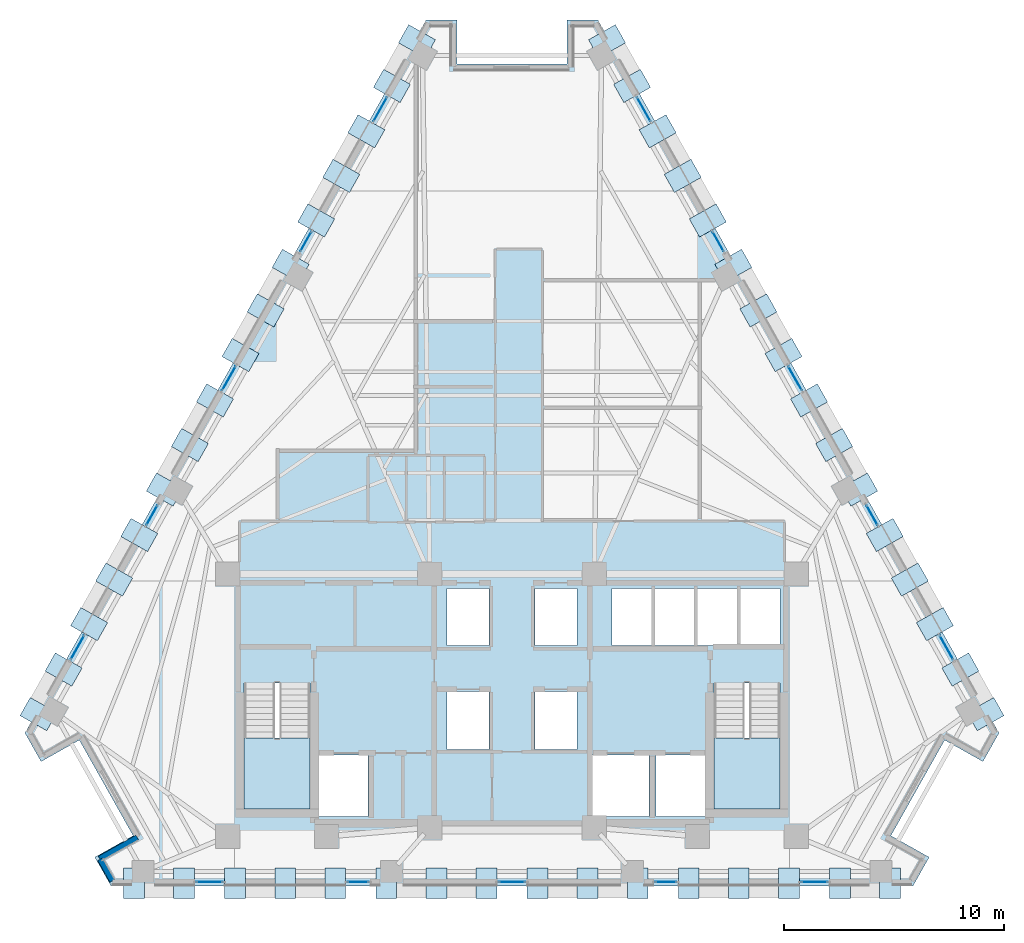
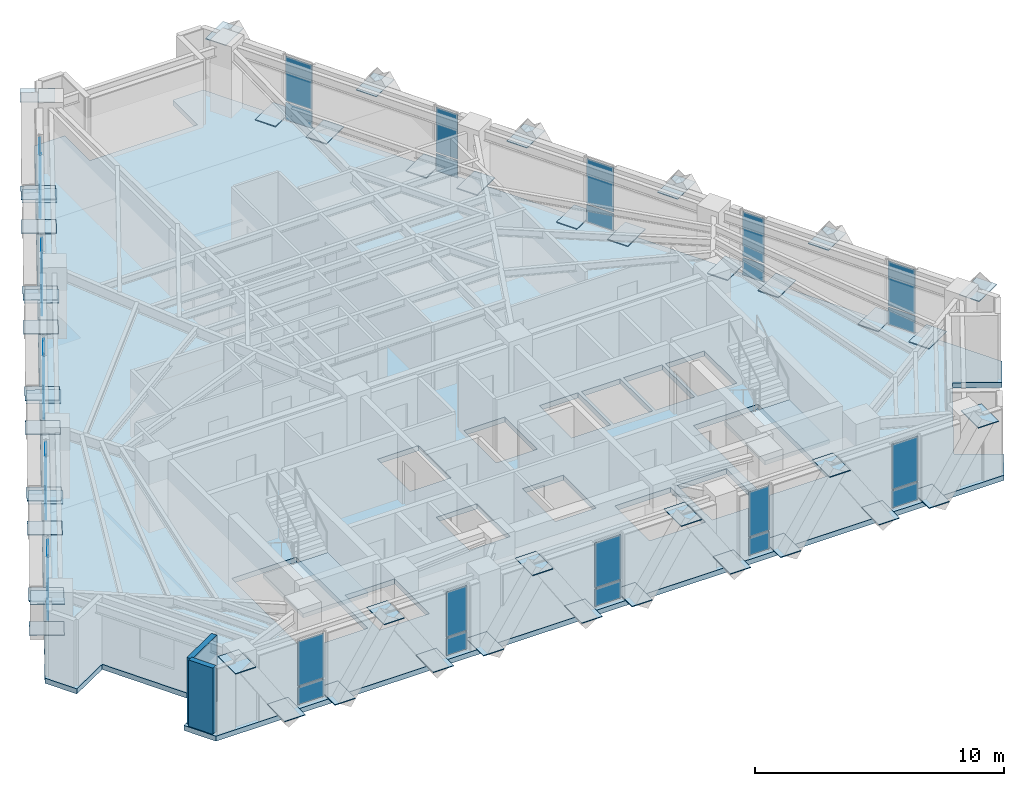
# One storey, part 6 of 13: 78 plates, 3 slabs, 2 walls, 17 elements without a shape of their own.
"""IFC4 building model written with IfcOpenShell, lengths in metres."""

from ifc_helpers import new_model, si_unit, direction, frame, frame_2d, origin, origin_2d, place, context, subcontext, project, spatial, polyline, rectangle, outline, extrude, material, layer, layer_set, type_object, element, aggregate, save


model = new_model("IFC4")

# Units and contexts
model_context = context("Model", 3, precision=1e-05, world=origin(), true_north=direction((0.0, 1.0)))
body_context = subcontext(model_context, "Body", "Model", "MODEL_VIEW")
ifc_project = project(units=[si_unit("LENGTHUNIT", "METRE"), si_unit("AREAUNIT", "SQUARE_METRE"), si_unit("VOLUMEUNIT", "CUBIC_METRE"), si_unit("PLANEANGLEUNIT", "RADIAN"), si_unit("MASSUNIT", "GRAM", prefix="KILO")], contexts=[model_context])

# Site, building, storey
site_placement = place(None, origin())
site = spatial("IfcSite", under=ifc_project, at=site_placement, CompositionType="ELEMENT")
building_placement = place(site_placement, origin())
building = spatial("IfcBuilding", under=site, at=building_placement, Name="Quenlor Broadcast Tower", CompositionType="ELEMENT")
storey_placement = place(building_placement, frame((0.0, 0.0, 147.5)))
storey = spatial("IfcBuildingStorey", under=building, at=storey_placement, Name="L40", CompositionType="ELEMENT", Elevation=147.5)

# Curtain wall, plates
ifc_material_1 = material(Name="Architectural Terracotta and Low-E Glazing", Category="masonry")
curtain_wall_type = type_object("IfcCurtainWallType", Name="Unitised Terracotta Curtain Wall System Z3", PredefinedType="NOTDEFINED", material=ifc_material_1)
curtain_wall_1_placement = place(storey_placement, origin())
curtain_wall_1 = element("IfcCurtainWall", 1, at=curtain_wall_1_placement, inside=storey, type_object=curtain_wall_type, Name="L40 Curtain Wall CW3 (L40-SA-G1)", PredefinedType="NOTDEFINED")
ifc_material_2 = material(Name="Double Glazed Low-E Solar Glass", Category="glass")
ifc_layer_1 = layer(ifc_material_2, 0.028076171875)
ifc_layer_set_1 = layer_set([ifc_layer_1], Name="CW3 Double Glazed Vision Panel 28")
plate_type_1 = type_object("IfcPlateType", Name="CW3 Double Glazed Vision Panel 28", PredefinedType="CURTAIN_PANEL", material=ifc_layer_set_1)
plate_1_placement = place(storey_placement, frame((13.77587890625, -18.824951171875, 0.06982421875), z_axis=(0.0, 0.0, 1.0), x_axis=(-1.0, 0.0, 0.0)))
plate_1 = element("IfcPlate", 2, at=plate_1_placement, type_object=plate_type_1, Name="CW3 panel 1.1", PredefinedType="CURTAIN_PANEL", context=body_context, shape_type="SweptSolid", body=[
    extrude(rectangle(XDim=1.197998046875, YDim=0.028076171875, at=origin_2d()), origin(), (0.0, 0.0, 1.0), 0.844970703125),
])
plate_2_placement = place(storey_placement, frame((13.77587890625, -18.824951171875, 0.98486328125), z_axis=(0.0, 0.0, 1.0), x_axis=(-1.0, 0.0, 0.0)))
plate_2 = element("IfcPlate", 3, at=plate_2_placement, type_object=plate_type_1, Name="CW3 panel 1.2", PredefinedType="CURTAIN_PANEL", context=body_context, shape_type="SweptSolid", body=[
    extrude(rectangle(XDim=1.197998046875, YDim=0.028076171875, at=origin_2d()), origin(), (0.0, 0.0, 1.0), 2.195068359375),
])
aggregate(curtain_wall_1, [plate_1, plate_2])

curtain_wall_2_placement = place(storey_placement, origin())
curtain_wall_2 = element("IfcCurtainWall", 4, at=curtain_wall_2_placement, inside=storey, type_object=curtain_wall_type, Name="L40 Curtain Wall CW3 (L40-SA-G2)", PredefinedType="NOTDEFINED")
plate_3_placement = place(storey_placement, frame((7.011474609375, -18.824951171875, 0.06982421875), z_axis=(0.0, 0.0, 1.0), x_axis=(-1.0, 0.0, 0.0)))
plate_3 = element("IfcPlate", 5, at=plate_3_placement, type_object=plate_type_1, Name="CW3 panel 1.1", PredefinedType="CURTAIN_PANEL", context=body_context, shape_type="SweptSolid", body=[
    extrude(rectangle(XDim=0.950927734375, YDim=0.028076171875, at=origin_2d()), origin(), (0.0, 0.0, 1.0), 0.844970703125),
])
plate_4_placement = place(storey_placement, frame((7.011474609375, -18.824951171875, 0.98486328125), z_axis=(0.0, 0.0, 1.0), x_axis=(-1.0, 0.0, 0.0)))
plate_4 = element("IfcPlate", 6, at=plate_4_placement, type_object=plate_type_1, Name="CW3 panel 1.2", PredefinedType="CURTAIN_PANEL", context=body_context, shape_type="SweptSolid", body=[
    extrude(rectangle(XDim=0.950927734375, YDim=0.028076171875, at=origin_2d()), origin(), (0.0, 0.0, 1.0), 2.195068359375),
])
aggregate(curtain_wall_2, [plate_3, plate_4])

curtain_wall_3_placement = place(storey_placement, origin())
curtain_wall_3 = element("IfcCurtainWall", 7, at=curtain_wall_3_placement, inside=storey, type_object=curtain_wall_type, Name="L40 Curtain Wall CW3 (L40-SC-G1)", PredefinedType="NOTDEFINED")
plate_5_placement = place(storey_placement, frame((-7.011474609375, -18.824951171875, 0.06982421875), z_axis=(0.0, 0.0, 1.0), x_axis=(-1.0, 0.0, 0.0)))
plate_5 = element("IfcPlate", 8, at=plate_5_placement, type_object=plate_type_1, Name="CW3 panel 1.1", PredefinedType="CURTAIN_PANEL", context=body_context, shape_type="SweptSolid", body=[
    extrude(rectangle(XDim=0.950927734375, YDim=0.028076171875, at=origin_2d()), origin(), (0.0, 0.0, 1.0), 0.844970703125),
])
plate_6_placement = place(storey_placement, frame((-7.011474609375, -18.824951171875, 0.98486328125), z_axis=(0.0, 0.0, 1.0), x_axis=(-1.0, 0.0, 0.0)))
plate_6 = element("IfcPlate", 9, at=plate_6_placement, type_object=plate_type_1, Name="CW3 panel 1.2", PredefinedType="CURTAIN_PANEL", context=body_context, shape_type="SweptSolid", body=[
    extrude(rectangle(XDim=0.950927734375, YDim=0.028076171875, at=origin_2d()), origin(), (0.0, 0.0, 1.0), 2.195068359375),
])
aggregate(curtain_wall_3, [plate_5, plate_6])

curtain_wall_4_placement = place(storey_placement, origin())
curtain_wall_4 = element("IfcCurtainWall", 10, at=curtain_wall_4_placement, inside=storey, type_object=curtain_wall_type, Name="L40 Curtain Wall CW3 (L40-SC-G2)", PredefinedType="NOTDEFINED")
plate_7_placement = place(storey_placement, frame((-13.77587890625, -18.824951171875, 0.06982421875), z_axis=(0.0, 0.0, 1.0), x_axis=(-1.0, 0.0, 0.0)))
plate_7 = element("IfcPlate", 11, at=plate_7_placement, type_object=plate_type_1, Name="CW3 panel 1.1", PredefinedType="CURTAIN_PANEL", context=body_context, shape_type="SweptSolid", body=[
    extrude(rectangle(XDim=1.197998046875, YDim=0.028076171875, at=origin_2d()), origin(), (0.0, 0.0, 1.0), 0.844970703125),
])
plate_8_placement = place(storey_placement, frame((-13.77587890625, -18.824951171875, 0.98486328125), z_axis=(0.0, 0.0, 1.0), x_axis=(-1.0, 0.0, 0.0)))
plate_8 = element("IfcPlate", 12, at=plate_8_placement, type_object=plate_type_1, Name="CW3 panel 1.2", PredefinedType="CURTAIN_PANEL", context=body_context, shape_type="SweptSolid", body=[
    extrude(rectangle(XDim=1.197998046875, YDim=0.028076171875, at=origin_2d()), origin(), (0.0, 0.0, 1.0), 2.195068359375),
])
aggregate(curtain_wall_4, [plate_7, plate_8])

curtain_wall_5_placement = place(storey_placement, origin())
curtain_wall_5 = element("IfcCurtainWall", 13, at=curtain_wall_5_placement, inside=storey, type_object=curtain_wall_type, Name="L40 Curtain Wall CW3 (L40-S-G1)", PredefinedType="NOTDEFINED")
plate_9_placement = place(storey_placement, frame((0.0, -18.824951171875, 0.06982421875), z_axis=(0.0, 0.0, 1.0), x_axis=(-1.0, 0.0, 0.0)))
plate_9 = element("IfcPlate", 14, at=plate_9_placement, type_object=plate_type_1, Name="CW3 panel 1.1", PredefinedType="CURTAIN_PANEL", context=body_context, shape_type="SweptSolid", body=[
    extrude(rectangle(XDim=1.197998046875, YDim=0.028076171875, at=origin_2d()), origin(), (0.0, 0.0, 1.0), 0.844970703125),
])
plate_10_placement = place(storey_placement, frame((0.0, -18.824951171875, 0.98486328125), z_axis=(0.0, 0.0, 1.0), x_axis=(-1.0, 0.0, 0.0)))
plate_10 = element("IfcPlate", 15, at=plate_10_placement, type_object=plate_type_1, Name="CW3 panel 1.2", PredefinedType="CURTAIN_PANEL", context=body_context, shape_type="SweptSolid", body=[
    extrude(rectangle(XDim=1.197998046875, YDim=0.028076171875, at=origin_2d()), origin(), (0.0, 0.0, 1.0), 2.195068359375),
])
aggregate(curtain_wall_5, [plate_9, plate_10])

curtain_wall_6_placement = place(storey_placement, origin())
curtain_wall_6 = element("IfcCurtainWall", 16, at=curtain_wall_6_placement, inside=storey, type_object=curtain_wall_type, Name="L40 Curtain Wall CW3 (L40-NEA-G1)", PredefinedType="NOTDEFINED")
plate_11_placement = place(storey_placement, frame((6.00146484375, 16.3740234375, 0.06982421875), z_axis=(0.0, 0.0, 1.0), x_axis=(0.490230492916, -0.871592831439, 0.0)))
plate_11 = element("IfcPlate", 17, at=plate_11_placement, type_object=plate_type_1, Name="CW3 panel 1.1", PredefinedType="CURTAIN_PANEL", context=body_context, shape_type="SweptSolid", body=[
    extrude(rectangle(XDim=1.249755859375, YDim=0.028076171875, at=origin_2d()), origin(), (0.0, 0.0, 1.0), 0.844970703125),
])
plate_12_placement = place(storey_placement, frame((6.00146484375, 16.3740234375, 0.98486328125), z_axis=(0.0, 0.0, 1.0), x_axis=(0.490230492916, -0.871592831439, 0.0)))
plate_12 = element("IfcPlate", 18, at=plate_12_placement, type_object=plate_type_1, Name="CW3 panel 1.2", PredefinedType="CURTAIN_PANEL", context=body_context, shape_type="SweptSolid", body=[
    extrude(rectangle(XDim=1.249755859375, YDim=0.028076171875, at=origin_2d()), origin(), (0.0, 0.0, 1.0), 2.195068359375),
])
aggregate(curtain_wall_6, [plate_11, plate_12])

curtain_wall_7_placement = place(storey_placement, origin())
curtain_wall_7 = element("IfcCurtainWall", 19, at=curtain_wall_7_placement, inside=storey, type_object=curtain_wall_type, Name="L40 Curtain Wall CW3 (L40-NEA-G2)", PredefinedType="NOTDEFINED")
plate_13_placement = place(storey_placement, frame((9.391357421875, 10.34716796875, 0.06982421875), z_axis=(0.0, 0.0, 1.0), x_axis=(0.490215950125, -0.871601010924, 0.0)))
plate_13 = element("IfcPlate", 20, at=plate_13_placement, type_object=plate_type_1, Name="CW3 panel 1.1", PredefinedType="CURTAIN_PANEL", context=body_context, shape_type="SweptSolid", body=[
    extrude(rectangle(XDim=1.01318359375, YDim=0.028076171875, at=origin_2d()), origin(), (0.0, 0.0, 1.0), 0.844970703125),
])
plate_14_placement = place(storey_placement, frame((9.391357421875, 10.34716796875, 0.98486328125), z_axis=(0.0, 0.0, 1.0), x_axis=(0.490215950125, -0.871601010924, 0.0)))
plate_14 = element("IfcPlate", 21, at=plate_14_placement, type_object=plate_type_1, Name="CW3 panel 1.2", PredefinedType="CURTAIN_PANEL", context=body_context, shape_type="SweptSolid", body=[
    extrude(rectangle(XDim=1.01318359375, YDim=0.028076171875, at=origin_2d()), origin(), (0.0, 0.0, 1.0), 2.195068359375),
])
aggregate(curtain_wall_7, [plate_13, plate_14])

curtain_wall_8_placement = place(storey_placement, origin())
curtain_wall_8 = element("IfcCurtainWall", 22, at=curtain_wall_8_placement, inside=storey, type_object=curtain_wall_type, Name="L40 Curtain Wall CW3 (L40-NEC-G1)", PredefinedType="NOTDEFINED")
plate_15_placement = place(storey_placement, frame((16.403564453125, -2.118896484375, 0.06982421875), z_axis=(0.0, 0.0, 1.0), x_axis=(0.490253004657, -0.871580169247, 0.0)))
plate_15 = element("IfcPlate", 23, at=plate_15_placement, type_object=plate_type_1, Name="CW3 panel 1.1", PredefinedType="CURTAIN_PANEL", context=body_context, shape_type="SweptSolid", body=[
    extrude(rectangle(XDim=1.01318359375, YDim=0.028076171875, at=origin_2d()), origin(), (0.0, 0.0, 1.0), 0.844970703125),
])
plate_16_placement = place(storey_placement, frame((16.403564453125, -2.118896484375, 0.98486328125), z_axis=(0.0, 0.0, 1.0), x_axis=(0.490253004657, -0.871580169247, 0.0)))
plate_16 = element("IfcPlate", 24, at=plate_16_placement, type_object=plate_type_1, Name="CW3 panel 1.2", PredefinedType="CURTAIN_PANEL", context=body_context, shape_type="SweptSolid", body=[
    extrude(rectangle(XDim=1.01318359375, YDim=0.028076171875, at=origin_2d()), origin(), (0.0, 0.0, 1.0), 2.195068359375),
])
aggregate(curtain_wall_8, [plate_15, plate_16])

curtain_wall_9_placement = place(storey_placement, origin())
curtain_wall_9 = element("IfcCurtainWall", 25, at=curtain_wall_9_placement, inside=storey, type_object=curtain_wall_type, Name="L40 Curtain Wall CW3 (L40-NEC-G2)", PredefinedType="NOTDEFINED")
plate_17_placement = place(storey_placement, frame((19.793701171875, -8.145751953125, 0.06982421875), z_axis=(0.0, 0.0, 1.0), x_axis=(0.490261239636, -0.871575537123, 0.0)))
plate_17 = element("IfcPlate", 26, at=plate_17_placement, type_object=plate_type_1, Name="CW3 panel 1.1", PredefinedType="CURTAIN_PANEL", context=body_context, shape_type="SweptSolid", body=[
    extrude(rectangle(XDim=1.249755859375, YDim=0.028076171875, at=origin_2d()), origin(), (0.0, 0.0, 1.0), 0.844970703125),
])
plate_18_placement = place(storey_placement, frame((19.793701171875, -8.145751953125, 0.98486328125), z_axis=(0.0, 0.0, 1.0), x_axis=(0.490261239636, -0.871575537123, 0.0)))
plate_18 = element("IfcPlate", 27, at=plate_18_placement, type_object=plate_type_1, Name="CW3 panel 1.2", PredefinedType="CURTAIN_PANEL", context=body_context, shape_type="SweptSolid", body=[
    extrude(rectangle(XDim=1.249755859375, YDim=0.028076171875, at=origin_2d()), origin(), (0.0, 0.0, 1.0), 2.195068359375),
])
aggregate(curtain_wall_9, [plate_17, plate_18])

curtain_wall_10_placement = place(storey_placement, origin())
curtain_wall_10 = element("IfcCurtainWall", 28, at=curtain_wall_10_placement, inside=storey, type_object=curtain_wall_type, Name="L40 Curtain Wall CW3 (L40-NE-G1)", PredefinedType="NOTDEFINED")
plate_19_placement = place(storey_placement, frame((12.8974609375, 4.1142578125, 0.06982421875), z_axis=(0.0, 0.0, 1.0), x_axis=(0.490285152484, -0.871562085714, 0.0)))
plate_19 = element("IfcPlate", 29, at=plate_19_placement, type_object=plate_type_1, Name="CW3 panel 1.1", PredefinedType="CURTAIN_PANEL", context=body_context, shape_type="SweptSolid", body=[
    extrude(rectangle(XDim=1.249755859375, YDim=0.028076171875, at=origin_2d()), origin(), (0.0, 0.0, 1.0), 0.844970703125),
])
plate_20_placement = place(storey_placement, frame((12.8974609375, 4.1142578125, 0.98486328125), z_axis=(0.0, 0.0, 1.0), x_axis=(0.490285152484, -0.871562085714, 0.0)))
plate_20 = element("IfcPlate", 30, at=plate_20_placement, type_object=plate_type_1, Name="CW3 panel 1.2", PredefinedType="CURTAIN_PANEL", context=body_context, shape_type="SweptSolid", body=[
    extrude(rectangle(XDim=1.249755859375, YDim=0.028076171875, at=origin_2d()), origin(), (0.0, 0.0, 1.0), 2.195068359375),
])
aggregate(curtain_wall_10, [plate_19, plate_20])

curtain_wall_11_placement = place(storey_placement, origin())
curtain_wall_11 = element("IfcCurtainWall", 31, at=curtain_wall_11_placement, inside=storey, type_object=curtain_wall_type, Name="L40 Curtain Wall CW3 (L40-NWA-G1)", PredefinedType="NOTDEFINED")
plate_21_placement = place(storey_placement, frame((-19.793701171875, -8.145751953125, 0.06982421875), z_axis=(0.0, 0.0, 1.0), x_axis=(0.490261239636, 0.871575537123, 0.0)))
plate_21 = element("IfcPlate", 32, at=plate_21_placement, type_object=plate_type_1, Name="CW3 panel 1.1", PredefinedType="CURTAIN_PANEL", context=body_context, shape_type="SweptSolid", body=[
    extrude(rectangle(XDim=1.249755859375, YDim=0.028076171875, at=origin_2d()), origin(), (0.0, 0.0, 1.0), 0.844970703125),
])
plate_22_placement = place(storey_placement, frame((-19.793701171875, -8.145751953125, 0.98486328125), z_axis=(0.0, 0.0, 1.0), x_axis=(0.490261239636, 0.871575537123, 0.0)))
plate_22 = element("IfcPlate", 33, at=plate_22_placement, type_object=plate_type_1, Name="CW3 panel 1.2", PredefinedType="CURTAIN_PANEL", context=body_context, shape_type="SweptSolid", body=[
    extrude(rectangle(XDim=1.249755859375, YDim=0.028076171875, at=origin_2d()), origin(), (0.0, 0.0, 1.0), 2.195068359375),
])
aggregate(curtain_wall_11, [plate_21, plate_22])

curtain_wall_12_placement = place(storey_placement, origin())
curtain_wall_12 = element("IfcCurtainWall", 34, at=curtain_wall_12_placement, inside=storey, type_object=curtain_wall_type, Name="L40 Curtain Wall CW3 (L40-NWA-G2)", PredefinedType="NOTDEFINED")
plate_23_placement = place(storey_placement, frame((-16.403564453125, -2.118896484375, 0.06982421875), z_axis=(0.0, 0.0, 1.0), x_axis=(0.490253004657, 0.871580169247, 0.0)))
plate_23 = element("IfcPlate", 35, at=plate_23_placement, type_object=plate_type_1, Name="CW3 panel 1.1", PredefinedType="CURTAIN_PANEL", context=body_context, shape_type="SweptSolid", body=[
    extrude(rectangle(XDim=1.01318359375, YDim=0.028076171875, at=origin_2d()), origin(), (0.0, 0.0, 1.0), 0.844970703125),
])
plate_24_placement = place(storey_placement, frame((-16.403564453125, -2.118896484375, 0.98486328125), z_axis=(0.0, 0.0, 1.0), x_axis=(0.490253004657, 0.871580169247, 0.0)))
plate_24 = element("IfcPlate", 36, at=plate_24_placement, type_object=plate_type_1, Name="CW3 panel 1.2", PredefinedType="CURTAIN_PANEL", context=body_context, shape_type="SweptSolid", body=[
    extrude(rectangle(XDim=1.01318359375, YDim=0.028076171875, at=origin_2d()), origin(), (0.0, 0.0, 1.0), 2.195068359375),
])
aggregate(curtain_wall_12, [plate_23, plate_24])

curtain_wall_13_placement = place(storey_placement, origin())
curtain_wall_13 = element("IfcCurtainWall", 37, at=curtain_wall_13_placement, inside=storey, type_object=curtain_wall_type, Name="L40 Curtain Wall CW3 (L40-NWC-G1)", PredefinedType="NOTDEFINED")
plate_25_placement = place(storey_placement, frame((-9.391357421875, 10.34716796875, 0.06982421875), z_axis=(0.0, 0.0, 1.0), x_axis=(0.490215950125, 0.871601010924, 0.0)))
plate_25 = element("IfcPlate", 38, at=plate_25_placement, type_object=plate_type_1, Name="CW3 panel 1.1", PredefinedType="CURTAIN_PANEL", context=body_context, shape_type="SweptSolid", body=[
    extrude(rectangle(XDim=1.01318359375, YDim=0.028076171875, at=origin_2d()), origin(), (0.0, 0.0, 1.0), 0.844970703125),
])
plate_26_placement = place(storey_placement, frame((-9.391357421875, 10.34716796875, 0.98486328125), z_axis=(0.0, 0.0, 1.0), x_axis=(0.490215950125, 0.871601010924, 0.0)))
plate_26 = element("IfcPlate", 39, at=plate_26_placement, type_object=plate_type_1, Name="CW3 panel 1.2", PredefinedType="CURTAIN_PANEL", context=body_context, shape_type="SweptSolid", body=[
    extrude(rectangle(XDim=1.01318359375, YDim=0.028076171875, at=origin_2d()), origin(), (0.0, 0.0, 1.0), 2.195068359375),
])
aggregate(curtain_wall_13, [plate_25, plate_26])

curtain_wall_14_placement = place(storey_placement, origin())
curtain_wall_14 = element("IfcCurtainWall", 40, at=curtain_wall_14_placement, inside=storey, type_object=curtain_wall_type, Name="L40 Curtain Wall CW3 (L40-NWC-G2)", PredefinedType="NOTDEFINED")
plate_27_placement = place(storey_placement, frame((-6.00146484375, 16.3740234375, 0.06982421875), z_axis=(0.0, 0.0, 1.0), x_axis=(0.490230492916, 0.871592831439, 0.0)))
plate_27 = element("IfcPlate", 41, at=plate_27_placement, type_object=plate_type_1, Name="CW3 panel 1.1", PredefinedType="CURTAIN_PANEL", context=body_context, shape_type="SweptSolid", body=[
    extrude(rectangle(XDim=1.249755859375, YDim=0.028076171875, at=origin_2d()), origin(), (0.0, 0.0, 1.0), 0.844970703125),
])
plate_28_placement = place(storey_placement, frame((-6.00146484375, 16.3740234375, 0.98486328125), z_axis=(0.0, 0.0, 1.0), x_axis=(0.490230492916, 0.871592831439, 0.0)))
plate_28 = element("IfcPlate", 42, at=plate_28_placement, type_object=plate_type_1, Name="CW3 panel 1.2", PredefinedType="CURTAIN_PANEL", context=body_context, shape_type="SweptSolid", body=[
    extrude(rectangle(XDim=1.249755859375, YDim=0.028076171875, at=origin_2d()), origin(), (0.0, 0.0, 1.0), 2.195068359375),
])
aggregate(curtain_wall_14, [plate_27, plate_28])

curtain_wall_15_placement = place(storey_placement, origin())
curtain_wall_15 = element("IfcCurtainWall", 43, at=curtain_wall_15_placement, inside=storey, type_object=curtain_wall_type, Name="L40 Curtain Wall CW3 (L40-NW-G1)", PredefinedType="NOTDEFINED")
plate_29_placement = place(storey_placement, frame((-12.8974609375, 4.1142578125, 0.06982421875), z_axis=(0.0, 0.0, 1.0), x_axis=(0.490285152484, 0.871562085714, 0.0)))
plate_29 = element("IfcPlate", 44, at=plate_29_placement, type_object=plate_type_1, Name="CW3 panel 1.1", PredefinedType="CURTAIN_PANEL", context=body_context, shape_type="SweptSolid", body=[
    extrude(rectangle(XDim=1.249755859375, YDim=0.028076171875, at=origin_2d()), origin(), (0.0, 0.0, 1.0), 0.844970703125),
])
plate_30_placement = place(storey_placement, frame((-12.8974609375, 4.1142578125, 0.98486328125), z_axis=(0.0, 0.0, 1.0), x_axis=(0.490285152484, 0.871562085714, 0.0)))
plate_30 = element("IfcPlate", 45, at=plate_30_placement, type_object=plate_type_1, Name="CW3 panel 1.2", PredefinedType="CURTAIN_PANEL", context=body_context, shape_type="SweptSolid", body=[
    extrude(rectangle(XDim=1.249755859375, YDim=0.028076171875, at=origin_2d()), origin(), (0.0, 0.0, 1.0), 2.195068359375),
])
aggregate(curtain_wall_15, [plate_29, plate_30])

# Stair, slab
ifc_material_3 = material(Name="Precast concrete C40/50", Category="concrete")
stair_type = type_object("IfcStairType", Name="Precast Concrete C40/50 Dogleg Stair H350", PredefinedType="HALF_TURN_STAIR", material=ifc_material_3)
stair_1_placement = place(storey_placement, origin())
stair_1 = element("IfcStair", 46, at=stair_1_placement, inside=storey, type_object=stair_type, Name="L40 West Core Fire-Isolated Exit Stair ST-1", PredefinedType="HALF_TURN_STAIR")
ifc_material_4 = material(Name="Precast concrete C40/50", Category="concrete")
ifc_layer_2 = layer(ifc_material_4, 0.199951171875)
ifc_layer_set_2 = layer_set([ifc_layer_2], Name="Precast Concrete C40/50 Stair Landing Slab 200")
slab_type_1 = type_object("IfcSlabType", Name="Precast Concrete C40/50 Stair Landing Slab 200", PredefinedType="LANDING", material=ifc_layer_set_2)
slab_1_placement = place(storey_placement, frame((0.0, 0.0, 1.550048828125)))
slab_1 = element("IfcSlab", 47, at=slab_1_placement, type_object=slab_type_1, Name="ST-1 landing 1", PredefinedType="LANDING", context=body_context, shape_type="SweptSolid", body=[
    extrude(outline(polyline([(-12.199951171875, -12.27001953125), (-12.199951171875, -15.5), (-9.199951171875, -15.5), (-9.199951171875, -12.27001953125), (-12.199951171875, -12.27001953125)])), origin(), (0.0, 0.0, 1.0), 0.199951171875),
])
aggregate(stair_1, [slab_1])

stair_2_placement = place(storey_placement, origin())
stair_2 = element("IfcStair", 48, at=stair_2_placement, inside=storey, type_object=stair_type, Name="L40 East Core Fire-Isolated Exit Stair ST-2", PredefinedType="HALF_TURN_STAIR")
slab_2_placement = place(storey_placement, frame((0.0, 0.0, 1.550048828125)))
slab_2 = element("IfcSlab", 49, at=slab_2_placement, type_object=slab_type_1, Name="ST-2 landing 1", PredefinedType="LANDING", context=body_context, shape_type="SweptSolid", body=[
    extrude(outline(polyline([(9.199951171875, -12.27001953125), (9.199951171875, -15.5), (12.199951171875, -15.5), (12.199951171875, -12.27001953125), (9.199951171875, -12.27001953125)])), origin(), (0.0, 0.0, 1.0), 0.199951171875),
])
aggregate(stair_2, [slab_2])

# Slab
ifc_material_5 = material(Name="Concrete C40/50", Category="concrete")
ifc_layer_3 = layer(ifc_material_5, 0.25)
ifc_layer_set_3 = layer_set([ifc_layer_3], Name="Tower Composite Concrete C40/50 Slab 250")
slab_type_2 = type_object("IfcSlabType", Name="Tower Composite Concrete C40/50 Slab 250", PredefinedType="FLOOR", material=ifc_layer_set_3)
slab_3_placement = place(storey_placement, frame((0.0, 0.0, -0.25)))
element("IfcSlab", 50, at=slab_3_placement, inside=storey, type_object=slab_type_2, Name="L40 Structural Floor Slab", PredefinedType="FLOOR", context=body_context, shape_type="SweptSolid", body=[
    extrude(outline(polyline([(18.27001953125, -19.0), (19.001708984375, -17.698974609375), (17.2587890625, -16.718505859375), (19.7099609375, -12.360595703125), (21.453125, -13.341064453125), (22.18505859375, -12.0400390625), (3.9150390625, 20.43994140625), (2.5, 20.43994140625), (2.5, 18.43994140625), (-2.5, 18.43994140625), (-2.5, 20.43994140625), (-3.9150390625, 20.43994140625), (-22.18505859375, -12.0400390625), (-21.453125, -13.341064453125), (-19.7099609375, -12.360595703125), (-17.2587890625, -16.718505859375), (-19.001708984375, -17.698974609375), (-18.27001953125, -19.0), (18.27001953125, -19.0)]), holes=[polyline([(-12.199951171875, -9.758056640625), (-12.199951171875, -15.5), (-9.199951171875, -15.5), (-9.199951171875, -9.758056640625), (-12.199951171875, -9.758056640625)]), polyline([(9.199951171875, -9.758056640625), (9.199951171875, -15.5), (12.199951171875, -15.5), (12.199951171875, -9.758056640625), (9.199951171875, -9.758056640625)]), polyline([(-2.949951171875, -8.050048828125), (-1.050048828125, -8.050048828125), (-1.050048828125, -5.449951171875), (-2.949951171875, -5.449951171875), (-2.949951171875, -8.050048828125)]), polyline([(1.050048828125, -8.050048828125), (2.949951171875, -8.050048828125), (2.949951171875, -5.449951171875), (1.050048828125, -5.449951171875), (1.050048828125, -8.050048828125)]), polyline([(-2.949951171875, -12.800048828125), (-1.050048828125, -12.800048828125), (-1.050048828125, -10.14990234375), (-2.949951171875, -10.14990234375), (-2.949951171875, -12.800048828125)]), polyline([(1.050048828125, -12.800048828125), (2.949951171875, -12.800048828125), (2.949951171875, -10.14990234375), (1.050048828125, -10.14990234375), (1.050048828125, -12.800048828125)]), polyline([(4.550048828125, -8.050048828125), (6.35009765625, -8.050048828125), (6.35009765625, -5.449951171875), (4.550048828125, -5.449951171875), (4.550048828125, -8.050048828125)]), polyline([(6.5, -8.050048828125), (8.300048828125, -8.050048828125), (8.300048828125, -5.449951171875), (6.5, -5.449951171875), (6.5, -8.050048828125)]), polyline([(8.449951171875, -8.050048828125), (10.25, -8.050048828125), (10.25, -5.449951171875), (8.449951171875, -5.449951171875), (8.449951171875, -8.050048828125)]), polyline([(10.39990234375, -8.050048828125), (12.199951171875, -8.050048828125), (12.199951171875, -5.449951171875), (10.39990234375, -5.449951171875), (10.39990234375, -8.050048828125)]), polyline([(-8.85009765625, -15.85009765625), (-6.550048828125, -15.85009765625), (-6.550048828125, -13.050048828125), (-8.85009765625, -13.050048828125), (-8.85009765625, -15.85009765625)]), polyline([(6.550048828125, -15.85009765625), (8.85009765625, -15.85009765625), (8.85009765625, -13.050048828125), (6.550048828125, -13.050048828125), (6.550048828125, -15.85009765625)]), polyline([(3.64990234375, -15.85009765625), (6.25, -15.85009765625), (6.25, -13.050048828125), (3.64990234375, -13.050048828125), (3.64990234375, -15.85009765625)])]), origin(), (0.0, 0.0, 1.0), 0.25),
])

# Plates
ifc_material_6 = material(Name="Steel S355", Category="steel")
ifc_layer_4 = layer(ifc_material_6, 0.035888671875)
ifc_layer_set_4 = layer_set([ifc_layer_4], Name="Transfer Truss Steel S355 Gusset Node Plate 1400x950x36")
plate_type_2 = type_object("IfcPlateType", Name="Transfer Truss Steel S355 Gusset Node Plate 1400x950x36", PredefinedType="SHEET", material=ifc_layer_set_4)
for number, where, z_axis, x_axis, name in (
    (51, (12.6142578125, -18.885009765625, 0.0419921875), (0.0, 0.0, 1.0), (0.0, -1.0, 0.0), "L40 Lattice Tie Gusset Node S-B2"),
    (52, (10.33203125, -18.885009765625, 3.18212890625), (0.0, 0.0, 1.0), (0.0, -1.0, 0.0), "L40 Lattice Tie Gusset Node S-T3"),
    (53, (14.937744140625, -18.885009765625, 0.0419921875), (0.0, 0.0, 1.0), (0.0, -1.0, 0.0), "L40 Lattice Tie Gusset Node S-B1"),
    (54, (17.219970703125, -18.885009765625, 3.18212890625), (0.0, 0.0, 1.0), (0.0, -1.0, 0.0), "L40 Lattice Tie Gusset Node S-T0"),
    (55, (5.726318359375, -18.885009765625, 0.0419921875), (0.0, 0.0, 1.0), (0.0, -1.0, 0.0), "L40 Lattice Tie Gusset Node S-B5"),
    (56, (3.444091796875, -18.885009765625, 3.18212890625), (0.0, 0.0, 1.0), (0.0, -1.0, 0.0), "L40 Lattice Tie Gusset Node S-T6"),
    (57, (8.0498046875, -18.885009765625, 0.0419921875), (0.0, 0.0, 1.0), (0.0, -1.0, 0.0), "L40 Lattice Tie Gusset Node S-B4"),
    (58, (-1.161865234375, -18.885009765625, 0.0419921875), (0.0, 0.0, 1.0), (0.0, -1.0, 0.0), "L40 Lattice Tie Gusset Node S-B8"),
    (59, (-3.444091796875, -18.885009765625, 3.18212890625), (0.0, 0.0, 1.0), (0.0, -1.0, 0.0), "L40 Lattice Tie Gusset Node S-T9"),
    (60, (1.161865234375, -18.885009765625, 0.0419921875), (0.0, 0.0, 1.0), (0.0, -1.0, 0.0), "L40 Lattice Tie Gusset Node S-B7"),
    (61, (-8.0498046875, -18.885009765625, 0.0419921875), (0.0, 0.0, 1.0), (0.0, -1.0, 0.0), "L40 Lattice Tie Gusset Node S-B11"),
    (62, (-10.33203125, -18.885009765625, 3.18212890625), (0.0, 0.0, 1.0), (0.0, -1.0, 0.0), "L40 Lattice Tie Gusset Node S-T12"),
    (63, (-5.726318359375, -18.885009765625, 0.0419921875), (0.0, 0.0, 1.0), (0.0, -1.0, 0.0), "L40 Lattice Tie Gusset Node S-B10"),
    (64, (-14.937744140625, -18.885009765625, 0.0419921875), (0.0, 0.0, 1.0), (0.0, -1.0, 0.0), "L40 Lattice Tie Gusset Node S-B14"),
    (65, (-17.219970703125, -18.885009765625, 3.18212890625), (0.0, 0.0, 1.0), (0.0, -1.0, 0.0), "L40 Lattice Tie Gusset Node S-T15"),
    (66, (-12.6142578125, -18.885009765625, 0.0419921875), (0.0, 0.0, 1.0), (0.0, -1.0, 0.0), "L40 Lattice Tie Gusset Node S-B13"),
    (67, (6.63525390625, 15.36962890625, 0.0419921875), (0.0, 0.0, 1.0), (0.871556314255, 0.490295412055, 0.0), "L40 Lattice Tie Gusset Node NE-B2"),
    (68, (7.777587890625, 13.33837890625, 3.18212890625), (0.0, 0.0, 1.0), (0.871556314255, 0.490295412055, 0.0), "L40 Lattice Tie Gusset Node NE-T3"),
    (69, (5.471923828125, 17.4375, 0.0419921875), (0.0, 0.0, 1.0), (0.871556314255, 0.490295412055, 0.0), "L40 Lattice Tie Gusset Node NE-B1"),
    (70, (4.32958984375, 19.468505859375, 3.18212890625), (0.0, 0.0, 1.0), (0.871556314255, 0.490295412055, 0.0), "L40 Lattice Tie Gusset Node NE-T0"),
    (71, (10.083251953125, 9.239501953125, 0.0419921875), (0.0, 0.0, 1.0), (0.871556314255, 0.490295412055, 0.0), "L40 Lattice Tie Gusset Node NE-B5"),
    (72, (11.2255859375, 7.20849609375, 3.18212890625), (0.0, 0.0, 1.0), (0.871556314255, 0.490295412055, 0.0), "L40 Lattice Tie Gusset Node NE-T6"),
    (73, (8.920166015625, 11.3076171875, 0.0419921875), (0.0, 0.0, 1.0), (0.871556314255, 0.490295412055, 0.0), "L40 Lattice Tie Gusset Node NE-B4"),
    (74, (13.531494140625, 3.109619140625, 0.0419921875), (0.0, 0.0, 1.0), (0.871556314255, 0.490295412055, 0.0), "L40 Lattice Tie Gusset Node NE-B8"),
    (75, (14.673828125, 1.07861328125, 3.18212890625), (0.0, 0.0, 1.0), (0.871556314255, 0.490295412055, 0.0), "L40 Lattice Tie Gusset Node NE-T9"),
    (76, (12.3681640625, 5.177490234375, 0.0419921875), (0.0, 0.0, 1.0), (0.871556314255, 0.490295412055, 0.0), "L40 Lattice Tie Gusset Node NE-B7"),
    (77, (16.9794921875, -3.020263671875, 0.0419921875), (0.0, 0.0, 1.0), (0.871556314255, 0.490295412055, 0.0), "L40 Lattice Tie Gusset Node NE-B11"),
    (78, (18.121826171875, -5.05126953125, 3.18212890625), (0.0, 0.0, 1.0), (0.871556314255, 0.490295412055, 0.0), "L40 Lattice Tie Gusset Node NE-T12"),
    (79, (15.81640625, -0.952392578125, 0.0419921875), (0.0, 0.0, 1.0), (0.871556314255, 0.490295412055, 0.0), "L40 Lattice Tie Gusset Node NE-B10"),
    (80, (20.427490234375, -9.150146484375, 0.0419921875), (0.0, 0.0, 1.0), (0.871556314255, 0.490295412055, 0.0), "L40 Lattice Tie Gusset Node NE-B14"),
    (81, (21.570068359375, -11.18115234375, 3.18212890625), (0.0, 0.0, 1.0), (0.871556314255, 0.490295412055, 0.0), "L40 Lattice Tie Gusset Node NE-T15"),
    (82, (19.264404296875, -7.082275390625, 0.0419921875), (0.0, 0.0, 1.0), (0.871556314255, 0.490295412055, 0.0), "L40 Lattice Tie Gusset Node NE-B13"),
    (83, (-19.264404296875, -7.082275390625, 0.0419921875), (0.0, 0.0, 1.0), (-0.871556314255, 0.490295412055, 0.0), "L40 Lattice Tie Gusset Node NW-B2"),
    (84, (-18.121826171875, -5.05126953125, 3.18212890625), (0.0, 0.0, 1.0), (-0.871556314255, 0.490295412055, 0.0), "L40 Lattice Tie Gusset Node NW-T3"),
    (85, (-20.427490234375, -9.150146484375, 0.0419921875), (0.0, 0.0, 1.0), (-0.871556314255, 0.490295412055, 0.0), "L40 Lattice Tie Gusset Node NW-B1"),
    (86, (-21.570068359375, -11.18115234375, 3.18212890625), (0.0, 0.0, 1.0), (-0.871556314255, 0.490295412055, 0.0), "L40 Lattice Tie Gusset Node NW-T0"),
    (87, (-15.81640625, -0.952392578125, 0.0419921875), (0.0, 0.0, 1.0), (-0.871556314255, 0.490295412055, 0.0), "L40 Lattice Tie Gusset Node NW-B5"),
    (88, (-14.673828125, 1.07861328125, 3.18212890625), (0.0, 0.0, 1.0), (-0.871556314255, 0.490295412055, 0.0), "L40 Lattice Tie Gusset Node NW-T6"),
    (89, (-16.9794921875, -3.020263671875, 0.0419921875), (0.0, 0.0, 1.0), (-0.871556314255, 0.490295412055, 0.0), "L40 Lattice Tie Gusset Node NW-B4"),
    (90, (-12.3681640625, 5.177490234375, 0.0419921875), (0.0, 0.0, 1.0), (-0.871556314255, 0.490295412055, 0.0), "L40 Lattice Tie Gusset Node NW-B8"),
    (91, (-11.2255859375, 7.20849609375, 3.18212890625), (0.0, 0.0, 1.0), (-0.871556314255, 0.490295412055, 0.0), "L40 Lattice Tie Gusset Node NW-T9"),
    (92, (-13.531494140625, 3.109619140625, 0.0419921875), (0.0, 0.0, 1.0), (-0.871556314255, 0.490295412055, 0.0), "L40 Lattice Tie Gusset Node NW-B7"),
    (93, (-8.920166015625, 11.3076171875, 0.0419921875), (0.0, 0.0, 1.0), (-0.871556314255, 0.490295412055, 0.0), "L40 Lattice Tie Gusset Node NW-B11"),
    (94, (-7.777587890625, 13.33837890625, 3.18212890625), (0.0, 0.0, 1.0), (-0.871556314255, 0.490295412055, 0.0), "L40 Lattice Tie Gusset Node NW-T12"),
    (95, (-10.083251953125, 9.239501953125, 0.0419921875), (0.0, 0.0, 1.0), (-0.871556314255, 0.490295412055, 0.0), "L40 Lattice Tie Gusset Node NW-B10"),
    (96, (-5.471923828125, 17.4375, 0.0419921875), (0.0, 0.0, 1.0), (-0.871556314255, 0.490295412055, 0.0), "L40 Lattice Tie Gusset Node NW-B14"),
    (97, (-4.32958984375, 19.468505859375, 3.18212890625), (0.0, 0.0, 1.0), (-0.871556314255, 0.490295412055, 0.0), "L40 Lattice Tie Gusset Node NW-T15"),
    (98, (-6.63525390625, 15.36962890625, 0.0419921875), (0.0, 0.0, 1.0), (-0.871556314255, 0.490295412055, 0.0), "L40 Lattice Tie Gusset Node NW-B13"),
):
    element("IfcPlate", number, at=place(storey_placement, frame(where, z_axis=z_axis, x_axis=x_axis)), inside=storey, type_object=plate_type_2, Name=name, PredefinedType="SHEET", context=body_context, shape_type="SweptSolid", body=[
        extrude(rectangle(XDim=1.39990234375, YDim=0.949951171875, at=origin_2d()), origin(), (0.0, 0.0, 1.0), 0.035888671875),
    ])

# Walls
ifc_material_7 = material(Name="Precast concrete C40/50", Category="concrete")
ifc_layer_5 = layer(ifc_material_7, 0.239990234375)
ifc_layer_set_5 = layer_set([ifc_layer_5], Name="Terrace Threshold Precast Concrete C40/50 Wall 240")
wall_type = type_object("IfcWallType", Name="Terrace Threshold Precast Concrete C40/50 Wall 240", PredefinedType="STANDARD", material=ifc_layer_set_5)
wall_1_placement = place(storey_placement, frame((-17.07568359375, -16.799072265625, 0.0), z_axis=(0.0, 0.0, 1.0), x_axis=(-0.871565557139, -0.490278981406, 0.0)))
element("IfcWall", 99, at=wall_1_placement, inside=storey, type_object=wall_type, Name="L40 Exterior Wall L40-CNR-15", PredefinedType="STANDARD", context=body_context, shape_type="SweptSolid", body=[
    extrude(rectangle(XDim=1.9599609375, YDim=0.239990234375, at=frame_2d((0.97998046875, 0.0))), origin(), (0.0, 0.0, 1.0), 3.25),
])
wall_2_placement = place(storey_placement, frame((-18.764404296875, -17.794921875, 0.0), z_axis=(0.0, 0.0, 1.0), x_axis=(0.490353621339, -0.871523565969, 0.0)))
element("IfcWall", 100, at=wall_2_placement, inside=storey, type_object=wall_type, Name="L40 Exterior Wall L40-CNR-16", PredefinedType="STANDARD", context=body_context, shape_type="SweptSolid", body=[
    extrude(rectangle(XDim=1.129150390625, YDim=0.239990234375, at=frame_2d((0.564453125, 0.0))), origin(), (0.0, 0.0, 1.0), 3.25),
])

save(model, "model.ifc")
